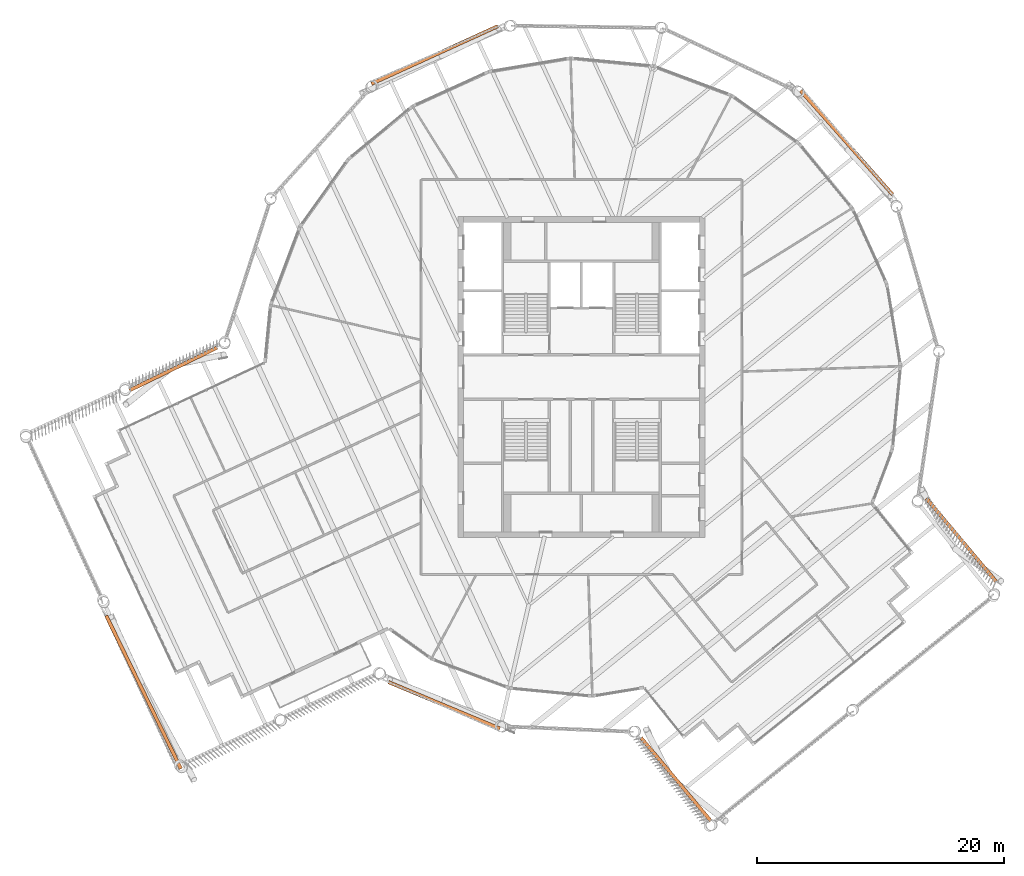
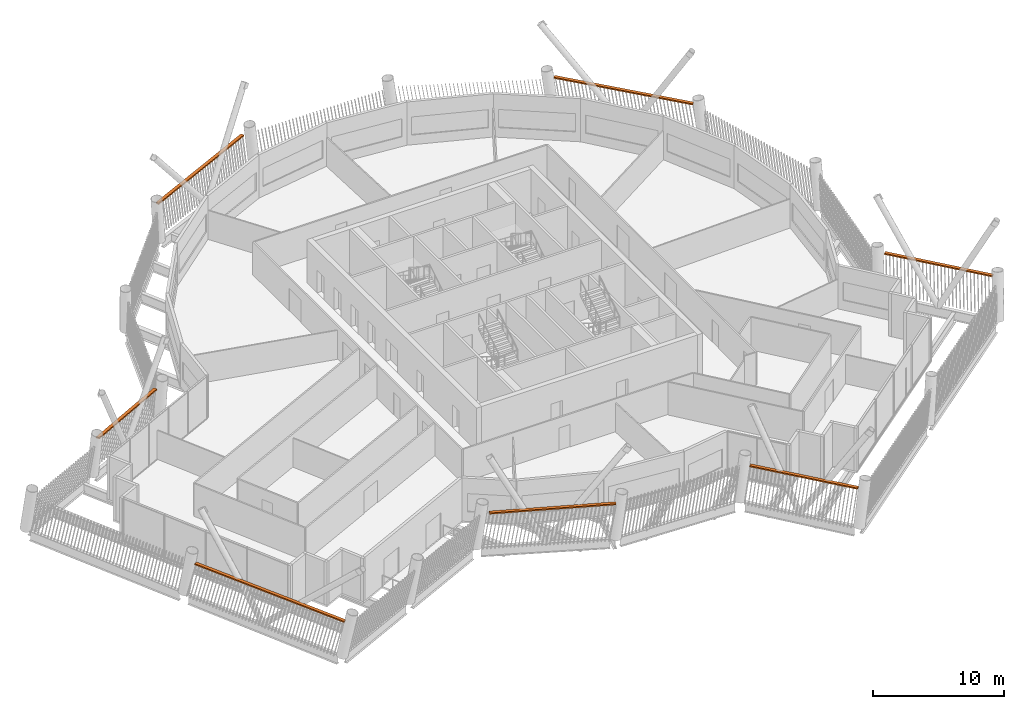
# One storey, part 36 of 36: 7 proxies.
"""IFC4 building model written with IfcOpenShell, lengths in metres."""

from ifc_helpers import new_model, si_unit, direction, frame, origin, origin_2d, place, context, subcontext, project, spatial, rectangle, extrude, material, type_object, element, save


model = new_model("IFC4")

# Units and contexts
model_context = context("Model", 3, precision=1e-05, world=origin(), true_north=direction((0.0, 1.0)))
body_context = subcontext(model_context, "Body", "Model", "MODEL_VIEW")
ifc_project = project(units=[si_unit("LENGTHUNIT", "METRE"), si_unit("AREAUNIT", "SQUARE_METRE"), si_unit("VOLUMEUNIT", "CUBIC_METRE"), si_unit("PLANEANGLEUNIT", "RADIAN"), si_unit("MASSUNIT", "GRAM", prefix="KILO")], contexts=[model_context])

# Site, building, storey
site_placement = place(None, origin())
site = spatial("IfcSite", under=ifc_project, at=site_placement, CompositionType="ELEMENT")
building_placement = place(site_placement, origin())
building = spatial("IfcBuilding", under=site, at=building_placement, Name="Tarsis Ring Headquarters", CompositionType="ELEMENT")
storey_placement = place(building_placement, frame((0.0, 0.0, 386.0)))
storey = spatial("IfcBuildingStorey", under=building, at=storey_placement, Name="L91", CompositionType="ELEMENT", Elevation=386.0)

# Proxies
ifc_material = material(Name="Structural steel S355", Category="steel")
building_element_proxy_type = type_object("IfcBuildingElementProxyType", Name="Screen bracket plate", PredefinedType="USERDEFINED", material=ifc_material)
for number, where, z_axis, x_axis, name in (
    (1, (7.655517578125, -32.60498046875, 3.280517578125), (0.0, 0.0, 1.0), (0.642787596317, -0.766044454338, 0.0), "Screen bracket L91-01"),
    (2, (30.7802734375, -13.200927734375, 3.280517578125), (0.0, 0.0, 1.0), (-0.642787596317, 0.766044454338, 0.0), "Screen bracket L91-04"),
):
    element("IfcBuildingElementProxy", number, at=place(storey_placement, frame(where, z_axis=z_axis, x_axis=x_axis)), inside=storey, type_object=building_element_proxy_type, Name=name, ObjectType="Bracket", PredefinedType="USERDEFINED", context=body_context, shape_type="SweptSolid", body=[
        extrude(rectangle(XDim=8.804443359375, YDim=0.28271484375, at=origin_2d()), origin(), (0.0, 0.0, 1.0), 0.1201171875),
    ])
for number, where, z_axis, x_axis, name in (
    (3, (21.491455078125, 19.0048828125, 3.280517578125), (0.0, 0.0, 1.0), (-0.662440397263, 0.749114624123, 0.0), "Screen bracket L91-07"),
    (4, (-11.903564453125, 26.103271484375, 3.280517578125), (0.0, 0.0, 1.0), (-0.909861783373, -0.4149114787, 0.0), "Screen bracket L91-10"),
):
    element("IfcBuildingElementProxy", number, at=place(storey_placement, frame(where, z_axis=z_axis, x_axis=x_axis)), inside=storey, type_object=building_element_proxy_type, Name=name, ObjectType="Bracket", PredefinedType="USERDEFINED", context=body_context, shape_type="SweptSolid", body=[
        extrude(rectangle(XDim=11.248779296875, YDim=0.28271484375, at=origin_2d()), origin(), (0.0, 0.0, 1.0), 0.1201171875),
    ])
proxy_1_placement = place(storey_placement, frame((-33.0830078125, 0.657470703125, 3.280517578125), z_axis=(0.0, 0.0, 1.0), x_axis=(-0.898794023346, -0.43837119385, 0.0)))
element("IfcBuildingElementProxy", 5, at=proxy_1_placement, inside=storey, type_object=building_element_proxy_type, Name="Screen bracket L91-13", ObjectType="Bracket", PredefinedType="USERDEFINED", context=body_context, shape_type="SweptSolid", body=[
    extrude(rectangle(XDim=7.90234375, YDim=0.28271484375, at=origin_2d()), origin(), (0.0, 0.0, 1.0), 0.1201171875),
])
proxy_2_placement = place(storey_placement, frame((-35.488525390625, -25.5419921875, 3.280517578125), z_axis=(0.0, 0.0, 1.0), x_axis=(0.438371146789, -0.898794046299, 0.0)))
element("IfcBuildingElementProxy", 6, at=proxy_2_placement, inside=storey, type_object=building_element_proxy_type, Name="Screen bracket L91-16", ObjectType="Bracket", PredefinedType="USERDEFINED", context=body_context, shape_type="SweptSolid", body=[
    extrude(rectangle(XDim=13.800048828125, YDim=0.28271484375, at=origin_2d()), origin(), (0.0, 0.0, 1.0), 0.1201171875),
])
proxy_3_placement = place(storey_placement, frame((-11.1220703125, -26.607666015625, 3.280517578125), z_axis=(0.0, 0.0, 1.0), x_axis=(0.922639195504, -0.385664251546, 0.0)))
element("IfcBuildingElementProxy", 7, at=proxy_3_placement, inside=storey, type_object=building_element_proxy_type, Name="Screen bracket L91-19", ObjectType="Bracket", PredefinedType="USERDEFINED", context=body_context, shape_type="SweptSolid", body=[
    extrude(rectangle(XDim=9.771728515625, YDim=0.28271484375, at=origin_2d()), origin(), (0.0, 0.0, 1.0), 0.1201171875),
])

save(model, "model.ifc")
